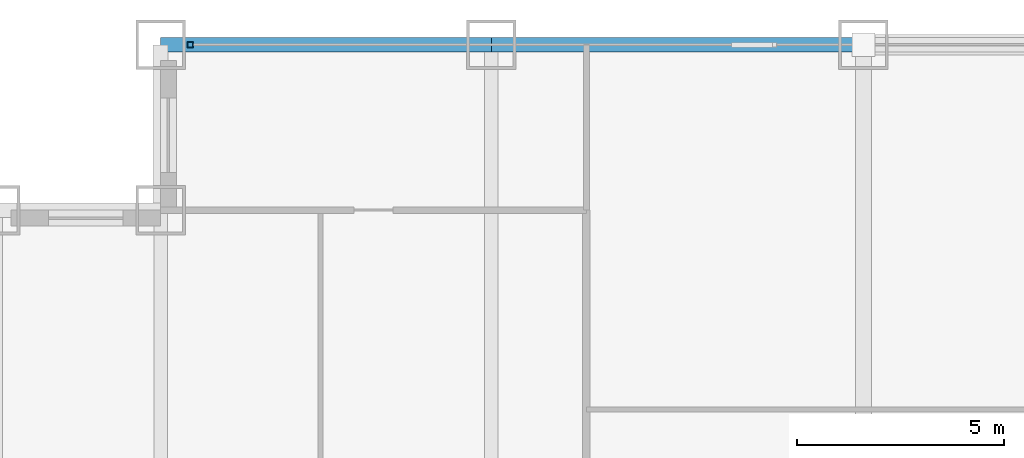
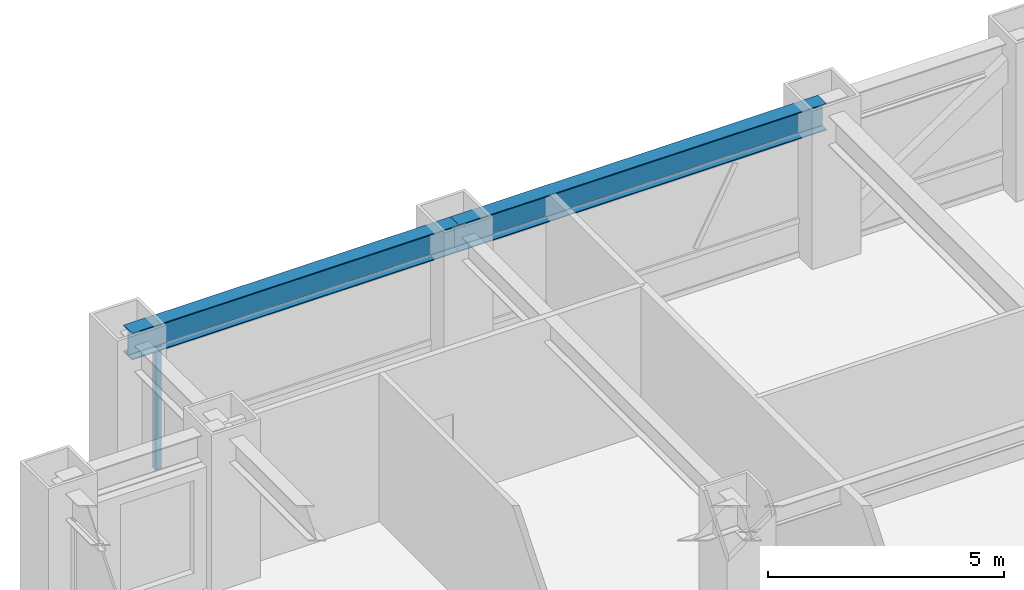
# One storey, part 17 of 27: 2 beams, 1 member, 1 element without a shape of its own.
"""IFC4 building model written with IfcOpenShell, lengths in metres."""

from ifc_helpers import new_model, si_unit, direction, frame, origin, origin_2d, place, context, subcontext, project, spatial, hollow_rectangle, i_section, extrude, source, transform, mapped, material, material_profile, profile_set, type_object, element, aggregate, save


model = new_model("IFC4")

# Units and contexts
model_context = context("Model", 3, precision=1e-05, world=origin(), true_north=direction((0.0, 1.0)))
body_context = subcontext(model_context, "Body", "Model", "MODEL_VIEW")
ifc_project = project(units=[si_unit("LENGTHUNIT", "METRE"), si_unit("AREAUNIT", "SQUARE_METRE"), si_unit("VOLUMEUNIT", "CUBIC_METRE"), si_unit("PLANEANGLEUNIT", "RADIAN"), si_unit("MASSUNIT", "GRAM", prefix="KILO")], contexts=[model_context])

# Site, building, storey
site_placement = place(None, origin())
site = spatial("IfcSite", under=ifc_project, at=site_placement, CompositionType="ELEMENT")
building_placement = place(site_placement, origin())
building = spatial("IfcBuilding", under=site, at=building_placement, Name="Khorayat Bourse Tower", CompositionType="ELEMENT")
storey_placement = place(building_placement, frame((0.0, 0.0, 111.89990234375)))
storey = spatial("IfcBuildingStorey", under=building, at=storey_placement, Name="L25", CompositionType="ELEMENT", Elevation=111.89990234375)

# Beams
ifc_material_1 = material(Name="Steel ASTM A992 Grade 50", Category="steel")
ifc_material_profile_1 = material_profile(ifc_material_1, i_section(OverallWidth=0.35498046875, OverallDepth=0.695068359375, WebThickness=0.015380859375, FlangeThickness=0.02490234375, FilletRadius=0.01806640625, at=origin_2d()), Name="W690X217")
ifc_profile_set_1 = profile_set([ifc_material_profile_1], Name="Steel ASTM A992 Grade 50")
beam_type = type_object("IfcBeamType", Name="BM-SPAN-690", PredefinedType="SPANDREL", material=ifc_profile_set_1)
shared_shape_1 = source(origin(), body_context, "Body", "SweptSolid", [
    extrude(i_section(OverallWidth=0.35498046875, OverallDepth=0.695068359375, WebThickness=0.015380859375, FlangeThickness=0.02490234375, FilletRadius=0.01806640625, at=origin_2d()), origin(), (0.0, 0.0, 1.0), 9.0),
])
beam_1_placement = place(storey_placement, frame((-20.0, 32.0, 3.49267578125), z_axis=(1.0, 0.0, 0.0), x_axis=(0.0, 1.0, 0.0)))
element("IfcBeam", 1, at=beam_1_placement, inside=storey, type_object=beam_type, Name="L25 BM-SPAN-690 BM-L25-SPN-050", PredefinedType="SPANDREL", context=body_context, shape_type="MappedRepresentation", body=[
    mapped(shared_shape_1, transform((0.0, 0.0, 0.0), scale=1.0)),
])
shared_shape_2 = source(origin(), body_context, "Body", "SweptSolid", [
    extrude(i_section(OverallWidth=0.35498046875, OverallDepth=0.695068359375, WebThickness=0.015380859375, FlangeThickness=0.02490234375, FilletRadius=0.01806640625, at=origin_2d()), origin(), (0.0, 0.0, 1.0), 8.0),
])
beam_2_placement = place(storey_placement, frame((-28.0, 32.0, 3.49267578125), z_axis=(1.0, 0.0, 0.0), x_axis=(0.0, 1.0, 0.0)))
element("IfcBeam", 2, at=beam_2_placement, inside=storey, type_object=beam_type, Name="L25 BM-SPAN-690 BM-L25-SPN-051", PredefinedType="SPANDREL", context=body_context, shape_type="MappedRepresentation", body=[
    mapped(shared_shape_2, transform((0.0, 0.0, 0.0), scale=1.0)),
])

# Curtain wall, member
ifc_material_2 = material(Name="Aluminium EN AW-6063 T6", Category="aluminium")
curtain_wall_type = type_object("IfcCurtainWallType", Name="CW-SYS-02", PredefinedType="NOTDEFINED", material=ifc_material_2)
curtain_wall_placement = place(storey_placement, origin())
curtain_wall = element("IfcCurtainWall", 3, at=curtain_wall_placement, inside=storey, type_object=curtain_wall_type, Name="L25 Curtain Wall CW-L25-N1", PredefinedType="NOTDEFINED")
ifc_material_profile_2 = material_profile(ifc_material_2, hollow_rectangle(XDim=0.139892578125, YDim=0.139892578125, WallThickness=0.006103515625, at=origin_2d()), Name="ALU 140x140x6")
ifc_profile_set_2 = profile_set([ifc_material_profile_2], Name="Aluminium EN AW-6063 T6")
member_type = type_object("IfcMemberType", Name="CWM-VERT-140", PredefinedType="MULLION", material=ifc_profile_set_2)
shared_shape_3 = source(origin(), body_context, "Body", "SweptSolid", [
    extrude(hollow_rectangle(XDim=0.139892578125, YDim=0.139892578125, WallThickness=0.006103515625, at=origin_2d()), origin(), (0.0, 0.0, 1.0), 3.190185546875),
])
member_placement = place(storey_placement, frame((-27.280029296875, 32.0, 0.0), z_axis=(0.0, 0.0, 1.0), x_axis=(0.0, 1.0, 0.0)))
member = element("IfcMember", 4, at=member_placement, type_object=member_type, Name="CW-L25-N1 Vertical Mullion 1", PredefinedType="MULLION", context=body_context, shape_type="MappedRepresentation", body=[
    mapped(shared_shape_3, transform((0.0, 0.0, 0.0), scale=1.0)),
])
aggregate(curtain_wall, [member])

save(model, "model.ifc")
